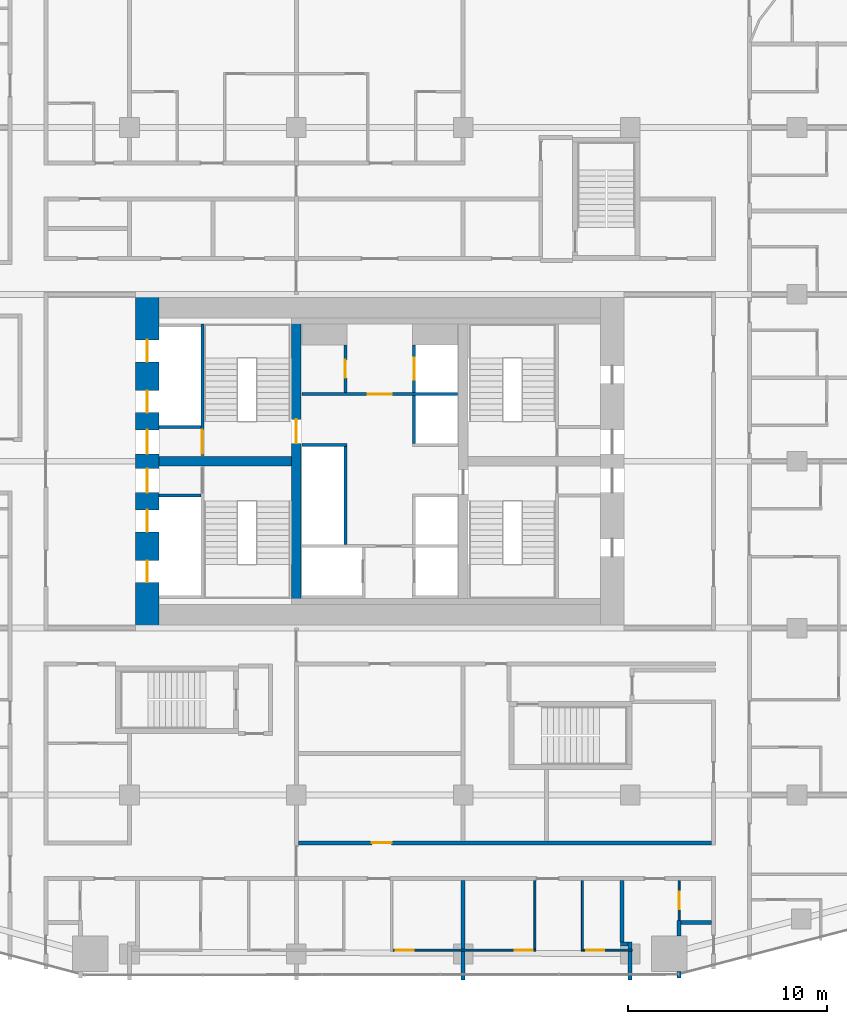
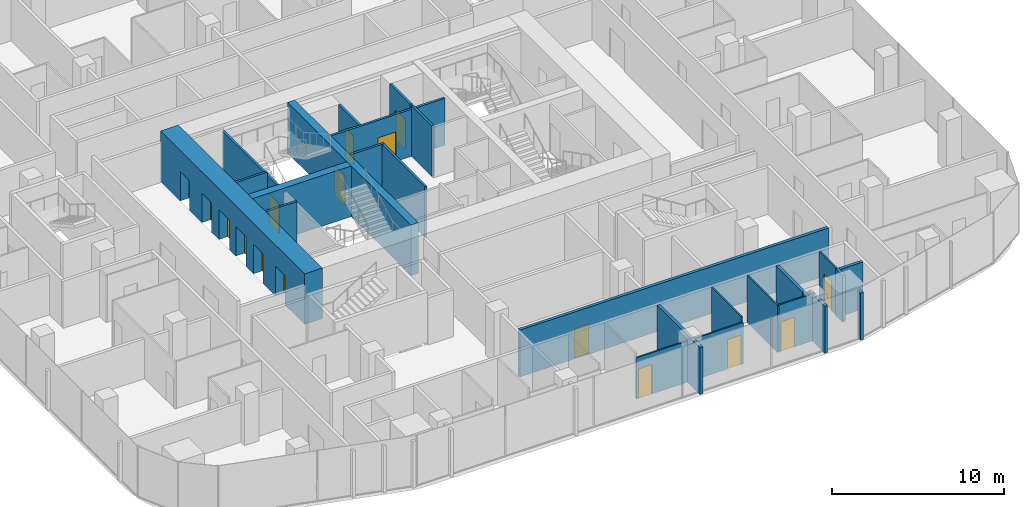
# One storey, part 18 of 25: 25 walls, 16 doors, 16 openings.
"""IFC4 building model written with IfcOpenShell, lengths in metres."""

from ifc_helpers import new_model, si_unit, direction, frame, frame_2d, origin, place, context, subcontext, project, spatial, rectangle, extrude, material, layer, layer_set, type_object, element, fill, save


model = new_model("IFC4")

# Units and contexts
model_context = context("Model", 3, precision=1e-05, world=origin(), true_north=direction((0.0, 1.0)))
body_context = subcontext(model_context, "Body", "Model", "MODEL_VIEW")
ifc_project = project(units=[si_unit("LENGTHUNIT", "METRE"), si_unit("AREAUNIT", "SQUARE_METRE"), si_unit("VOLUMEUNIT", "CUBIC_METRE"), si_unit("PLANEANGLEUNIT", "RADIAN"), si_unit("MASSUNIT", "GRAM", prefix="KILO")], contexts=[model_context])

# Site, building, storey
site_placement = place(None, origin())
site = spatial("IfcSite", under=ifc_project, at=site_placement, CompositionType="ELEMENT")
building_placement = place(site_placement, origin())
building = spatial("IfcBuilding", under=site, at=building_placement, Name="Marenta Gate Hotel Tower", CompositionType="ELEMENT")
storey_placement = place(building_placement, frame((0.0, 0.0, 50.89990234375)))
storey = spatial("IfcBuildingStorey", under=building, at=storey_placement, Name="L10", CompositionType="ELEMENT", Elevation=50.89990234375)

# Wall, opening, door
ifc_material_1 = material(Name="Concrete blockwork", Category="masonry")
ifc_layer_1 = layer(ifc_material_1, 0.14990234375)
ifc_layer_set_1 = layer_set([ifc_layer_1], Name="Concrete blockwork")
wall_type_1 = type_object("IfcWallType", Name="Core lobby partition 150 REI 180", PredefinedType="PARTITIONING", material=ifc_layer_set_1)
wall_1_placement = place(storey_placement, frame((-3.89990234375, 11.77490234375, 0.0), z_axis=(0.0, 0.0, 1.0), x_axis=(1.0, 0.0, 0.0)))
wall_1 = element("IfcWall", 1, at=wall_1_placement, inside=storey, type_object=wall_type_1, Name="L10-CP-CW-N", PredefinedType="PARTITIONING", context=body_context, shape_type="SweptSolid", body=[
    extrude(rectangle(XDim=7.7998046875, YDim=0.14990234375, at=frame_2d((3.89990234375, 0.0))), origin(), (0.0, 0.0, 1.0), 3.340087890625),
])
opening_1_placement = place(wall_1_placement, frame((3.300048828125, 0.0, 0.0)))
opening_1 = element("IfcOpeningElement", 2, at=opening_1_placement, cuts=wall_1, Name="Opening FD-FFN", PredefinedType="OPENING", context=body_context, shape_type="SweptSolid", body=[
    extrude(rectangle(XDim=1.199951171875, YDim=2.10009765625, at=frame_2d((0.60009765625, 1.050048828125))), frame((0.0, 0.074951171875, 0.0), z_axis=(0.0, -1.0, 0.0), x_axis=(1.0, 0.0, 0.0)), (0.0, 0.0, 1.0), 0.14990234375),
])
ifc_material_2 = material(Name="Steel", Category="steel")
door_type_1 = type_object("IfcDoorType", Name="Core lobby door 1200x2100 FD60", OperationType="SINGLE_SWING_LEFT", PredefinedType="DOOR", material=ifc_material_2)
door_1_placement = place(opening_1_placement, origin())
door_1 = element("IfcDoor", 3, at=door_1_placement, inside=storey, type_object=door_type_1, Name="FD-FFN", OperationType="SINGLE_SWING_LEFT", OverallHeight=2.10009765625, OverallWidth=1.199951171875, PredefinedType="DOOR", context=body_context, shape_type="SweptSolid", body=[
    extrude(rectangle(XDim=1.199951171875, YDim=2.10009765625, at=frame_2d((0.60009765625, 1.050048828125))), frame((0.0, 0.02490234375, 0.0), z_axis=(0.0, -1.0, 0.0), x_axis=(1.0, 0.0, 0.0)), (0.0, 0.0, 1.0), 0.050048828125),
])
fill(opening_1, door_1)

ifc_material_3 = material(Name="Concrete blockwork", Category="masonry")
ifc_layer_2 = layer(ifc_material_3, 0.14990234375)
ifc_layer_set_2 = layer_set([ifc_layer_2], Name="Concrete blockwork")
wall_type_2 = type_object("IfcWallType", Name="Core room partition 150 REI 180", PredefinedType="PARTITIONING", material=ifc_layer_set_2)
wall_2_placement = place(storey_placement, frame((-1.72509765625, 11.85009765625, 0.0), z_axis=(0.0, 0.0, 1.0), x_axis=(0.0, 1.0, 0.0)))
wall_2 = element("IfcWall", 4, at=wall_2_placement, inside=storey, type_object=wall_type_2, Name="L10-CP-CW-W-riser-front", PredefinedType="PARTITIONING", context=body_context, shape_type="SweptSolid", body=[
    extrude(rectangle(XDim=2.39990234375, YDim=0.14990234375, at=frame_2d((1.199951171875, 0.0))), origin(), (0.0, 0.0, 1.0), 3.340087890625),
])
opening_2_placement = place(wall_2_placement, frame((0.75, 0.0, 0.0)))
opening_2 = element("IfcOpeningElement", 5, at=opening_2_placement, cuts=wall_2, Name="Opening RD-CRISER", PredefinedType="OPENING", context=body_context, shape_type="SweptSolid", body=[
    extrude(rectangle(XDim=0.89990234375, YDim=2.10009765625, at=frame_2d((0.449951171875, 1.050048828125))), frame((0.0, 0.074951171875, 0.0), z_axis=(0.0, -1.0, 0.0), x_axis=(1.0, 0.0, 0.0)), (0.0, 0.0, 1.0), 0.14990234375),
])
ifc_material_4 = material(Name="Steel", Category="steel")
door_type_2 = type_object("IfcDoorType", Name="Core riser door 900x2100 FD60", OperationType="SINGLE_SWING_LEFT", PredefinedType="DOOR", material=ifc_material_4)
door_2_placement = place(opening_2_placement, origin())
door_2 = element("IfcDoor", 6, at=door_2_placement, inside=storey, type_object=door_type_2, Name="RD-CRISER", OperationType="SINGLE_SWING_LEFT", OverallHeight=2.10009765625, OverallWidth=0.89990234375, PredefinedType="DOOR", context=body_context, shape_type="SweptSolid", body=[
    extrude(rectangle(XDim=0.89990234375, YDim=2.10009765625, at=frame_2d((0.449951171875, 1.050048828125))), frame((0.0, 0.02490234375, 0.0), z_axis=(0.0, -1.0, 0.0), x_axis=(1.0, 0.0, 0.0)), (0.0, 0.0, 1.0), 0.050048828125),
])
fill(opening_2, door_2)

# Walls
ifc_material_5 = material(Name="Concrete C40", Category="concrete")
ifc_layer_3 = layer(ifc_material_5, 0.14990234375)
ifc_layer_set_3 = layer_set([ifc_layer_3], Name="Concrete C40")
wall_type_3 = type_object("IfcWallType", Name="Core shaft wall 150 REI 180", PredefinedType="SHEAR", material=ifc_layer_set_3)
for number, where, z_axis, x_axis, name in (
    (7, (-11.10009765625, 6.675048828125, 0.0), (0.0, 0.0, 1.0), (1.0, 0.0, 0.0), "L10-SHF-SW-WS-2"),
    (8, (-11.10009765625, 10.125, 0.0), (0.0, 0.0, 1.0), (1.0, 0.0, 0.0), "L10-SHF-SW-WN-2"),
):
    element("IfcWall", number, at=place(storey_placement, frame(where, z_axis=z_axis, x_axis=x_axis)), inside=storey, type_object=wall_type_3, Name=name, PredefinedType="SHEAR", context=body_context, shape_type="SweptSolid", body=[
        extrude(rectangle(XDim=2.10009765625, YDim=0.14990234375, at=frame_2d((1.050048828125, 0.0))), origin(), (0.0, 0.0, 1.0), 3.60009765625),
    ])
wall_3_placement = place(storey_placement, frame((-1.72509765625, 4.199951171875, 0.0), z_axis=(0.0, 0.0, 1.0), x_axis=(0.0, 1.0, 0.0)))
element("IfcWall", 9, at=wall_3_placement, inside=storey, type_object=wall_type_3, Name="L10-SHF-CW-W-front", PredefinedType="SHEAR", context=body_context, shape_type="SweptSolid", body=[
    extrude(rectangle(XDim=4.949951171875, YDim=0.14990234375, at=frame_2d((2.47509765625, 0.0))), origin(), (0.0, 0.0, 1.0), 3.60009765625),
])
wall_4_placement = place(storey_placement, frame((-3.89990234375, 9.22509765625, 0.0), z_axis=(0.0, 0.0, 1.0), x_axis=(1.0, 0.0, 0.0)))
element("IfcWall", 10, at=wall_4_placement, inside=storey, type_object=wall_type_3, Name="L10-SHF-CW-W-sep", PredefinedType="SHEAR", context=body_context, shape_type="SweptSolid", body=[
    extrude(rectangle(XDim=2.25, YDim=0.14990234375, at=frame_2d((1.125, 0.0))), origin(), (0.0, 0.0, 1.0), 3.60009765625),
])

# Wall, opening, door
wall_5_placement = place(storey_placement, frame((1.72509765625, 11.85009765625, 0.0), z_axis=(0.0, 0.0, 1.0), x_axis=(0.0, 1.0, 0.0)))
wall_5 = element("IfcWall", 11, at=wall_5_placement, inside=storey, type_object=wall_type_3, Name="L10-SHF-CE-N-front2", PredefinedType="SHEAR", context=body_context, shape_type="SweptSolid", body=[
    extrude(rectangle(XDim=2.39990234375, YDim=0.14990234375, at=frame_2d((1.199951171875, 0.0))), origin(), (0.0, 0.0, 1.0), 3.60009765625),
])
opening_3_placement = place(wall_5_placement, frame((0.64990234375, 0.0, 0.0)))
opening_3 = element("IfcOpeningElement", 12, at=opening_3_placement, cuts=wall_5, Name="Opening LD-FF2", PredefinedType="OPENING", context=body_context, shape_type="SweptSolid", body=[
    extrude(rectangle(XDim=1.10009765625, YDim=2.10009765625, at=frame_2d((0.550048828125, 1.050048828125))), frame((0.0, 0.074951171875, 0.0), z_axis=(0.0, -1.0, 0.0), x_axis=(1.0, 0.0, 0.0)), (0.0, 0.0, 1.0), 0.14990234375),
])
ifc_material_6 = material(Name="Steel", Category="steel")
door_type_3 = type_object("IfcDoorType", Name="Core lift landing door 1100x2100 E 60", OperationType="SLIDING_TO_LEFT", PredefinedType="DOOR", material=ifc_material_6)
door_3_placement = place(opening_3_placement, origin())
door_3 = element("IfcDoor", 13, at=door_3_placement, inside=storey, type_object=door_type_3, Name="LD-FF2", OperationType="SLIDING_TO_LEFT", OverallHeight=2.10009765625, OverallWidth=1.10009765625, PredefinedType="DOOR", context=body_context, shape_type="SweptSolid", body=[
    extrude(rectangle(XDim=1.10009765625, YDim=2.10009765625, at=frame_2d((0.550048828125, 1.050048828125))), frame((0.0, 0.02490234375, 0.0), z_axis=(0.0, -1.0, 0.0), x_axis=(1.0, 0.0, 0.0)), (0.0, 0.0, 1.0), 0.050048828125),
])
fill(opening_3, door_3)

# Wall
wall_6_placement = place(storey_placement, frame((1.72509765625, 9.300048828125, 0.0), z_axis=(0.0, 0.0, 1.0), x_axis=(0.0, 1.0, 0.0)))
element("IfcWall", 14, at=wall_6_placement, inside=storey, type_object=wall_type_3, Name="L10-SHF-CE-front-2", PredefinedType="SHEAR", context=body_context, shape_type="SweptSolid", body=[
    extrude(rectangle(XDim=2.39990234375, YDim=0.14990234375, at=frame_2d((1.199951171875, 0.0))), origin(), (0.0, 0.0, 1.0), 3.60009765625),
])

# Wall, opening, door
ifc_material_7 = material(Name="Concrete C40", Category="concrete")
ifc_layer_4 = layer(ifc_material_7, 0.14990234375)
ifc_layer_set_4 = layer_set([ifc_layer_4], Name="Concrete C40")
wall_type_4 = type_object("IfcWallType", Name="Core stair enclosure wall 150 REI 180", PredefinedType="SHEAR", material=ifc_layer_set_4)
wall_7_placement = place(storey_placement, frame((-8.925048828125, 8.699951171875, 0.0), z_axis=(0.0, 0.0, 1.0), x_axis=(0.0, 1.0, 0.0)))
wall_7 = element("IfcWall", 15, at=wall_7_placement, inside=storey, type_object=wall_type_4, Name="L10-SHF-SW-WN-3", PredefinedType="SHEAR", context=body_context, shape_type="SweptSolid", body=[
    extrude(rectangle(XDim=6.60009765625, YDim=0.14990234375, at=frame_2d((3.300048828125, 0.0))), origin(), (0.0, 0.0, 1.0), 3.340087890625),
])
opening_4_placement = place(wall_7_placement, frame((0.074951171875, 0.0, 0.0)))
opening_4 = element("IfcOpeningElement", 16, at=opening_4_placement, cuts=wall_7, Name="Opening SD-WN", PredefinedType="OPENING", context=body_context, shape_type="SweptSolid", body=[
    extrude(rectangle(XDim=1.199951171875, YDim=2.10009765625, at=frame_2d((0.60009765625, 1.050048828125))), frame((0.0, 0.074951171875, 0.0), z_axis=(0.0, -1.0, 0.0), x_axis=(1.0, 0.0, 0.0)), (0.0, 0.0, 1.0), 0.14990234375),
])
ifc_material_8 = material(Name="Steel", Category="steel")
door_type_4 = type_object("IfcDoorType", Name="Core stair door 1200x2100 FD60", OperationType="SINGLE_SWING_LEFT", PredefinedType="DOOR", material=ifc_material_8)
door_4_placement = place(opening_4_placement, origin())
door_4 = element("IfcDoor", 17, at=door_4_placement, inside=storey, type_object=door_type_4, Name="SD-WN", OperationType="SINGLE_SWING_LEFT", OverallHeight=2.10009765625, OverallWidth=1.199951171875, PredefinedType="DOOR", context=body_context, shape_type="SweptSolid", body=[
    extrude(rectangle(XDim=1.199951171875, YDim=2.10009765625, at=frame_2d((0.60009765625, 1.050048828125))), frame((0.0, 0.02490234375, 0.0), z_axis=(0.0, -1.0, 0.0), x_axis=(1.0, 0.0, 0.0)), (0.0, 0.0, 1.0), 0.050048828125),
])
fill(opening_4, door_4)

# Wall, openings, doors
ifc_material_9 = material(Name="Concrete C80", Category="concrete")
ifc_layer_5 = layer(ifc_material_9, 1.199951171875)
ifc_layer_set_5 = layer_set([ifc_layer_5], Name="Concrete C80")
wall_type_5 = type_object("IfcWallType", Name="Core wall 1200 C80", PredefinedType="SHEAR", material=ifc_layer_set_5)
wall_8_placement = place(storey_placement, frame((-11.699951171875, 0.0, 0.0), z_axis=(0.0, 0.0, 1.0), x_axis=(0.0, 1.0, 0.0)))
wall_8 = element("IfcWall", 18, at=wall_8_placement, inside=storey, type_object=wall_type_5, Name="L10-CORE-W", PredefinedType="SHEAR", context=body_context, shape_type="SweptSolid", body=[
    extrude(rectangle(XDim=16.800048828125, YDim=1.199951171875, at=frame_2d((8.39990234375, 0.0))), origin(), (0.0, 0.0, 1.0), 3.60009765625),
])
opening_5_placement = place(wall_8_placement, frame((2.300048828125, 0.0, 0.0)))
opening_5 = element("IfcOpeningElement", 19, at=opening_5_placement, cuts=wall_8, Name="Opening LD-LR1", PredefinedType="OPENING", context=body_context, shape_type="SweptSolid", body=[
    extrude(rectangle(XDim=1.10009765625, YDim=2.10009765625, at=frame_2d((0.550048828125, 1.050048828125))), frame((0.0, 0.60009765625, 0.0), z_axis=(0.0, -1.0, 0.0), x_axis=(1.0, 0.0, 0.0)), (0.0, 0.0, 1.0), 1.199951171875),
])
opening_6_placement = place(wall_8_placement, frame((4.85009765625, 0.0, 0.0)))
opening_6 = element("IfcOpeningElement", 20, at=opening_6_placement, cuts=wall_8, Name="Opening LD-LR2", PredefinedType="OPENING", context=body_context, shape_type="SweptSolid", body=[
    extrude(rectangle(XDim=1.10009765625, YDim=2.10009765625, at=frame_2d((0.550048828125, 1.050048828125))), frame((0.0, 0.60009765625, 0.0), z_axis=(0.0, -1.0, 0.0), x_axis=(1.0, 0.0, 0.0)), (0.0, 0.0, 1.0), 1.199951171875),
])
opening_7_placement = place(wall_8_placement, frame((6.824951171875, 0.0, 0.0)))
opening_7 = element("IfcOpeningElement", 21, at=opening_7_placement, cuts=wall_8, Name="Opening PD-WS", PredefinedType="OPENING", context=body_context, shape_type="SweptSolid", body=[
    extrude(rectangle(XDim=1.199951171875, YDim=2.10009765625, at=frame_2d((0.60009765625, 1.050048828125))), frame((0.0, 0.60009765625, 0.0), z_axis=(0.0, -1.0, 0.0), x_axis=(1.0, 0.0, 0.0)), (0.0, 0.0, 1.0), 1.199951171875),
])
opening_8_placement = place(wall_8_placement, frame((13.39990234375, 0.0, 0.0)))
opening_8 = element("IfcOpeningElement", 22, at=opening_8_placement, cuts=wall_8, Name="Opening LD-LR4", PredefinedType="OPENING", context=body_context, shape_type="SweptSolid", body=[
    extrude(rectangle(XDim=1.10009765625, YDim=2.10009765625, at=frame_2d((0.550048828125, 1.050048828125))), frame((0.0, 0.60009765625, 0.0), z_axis=(0.0, -1.0, 0.0), x_axis=(1.0, 0.0, 0.0)), (0.0, 0.0, 1.0), 1.199951171875),
])
opening_9_placement = place(wall_8_placement, frame((10.85009765625, 0.0, 0.0)))
opening_9 = element("IfcOpeningElement", 23, at=opening_9_placement, cuts=wall_8, Name="Opening LD-LR3", PredefinedType="OPENING", context=body_context, shape_type="SweptSolid", body=[
    extrude(rectangle(XDim=1.10009765625, YDim=2.10009765625, at=frame_2d((0.550048828125, 1.050048828125))), frame((0.0, 0.60009765625, 0.0), z_axis=(0.0, -1.0, 0.0), x_axis=(1.0, 0.0, 0.0)), (0.0, 0.0, 1.0), 1.199951171875),
])
opening_10_placement = place(wall_8_placement, frame((8.77490234375, 0.0, 0.0)))
opening_10 = element("IfcOpeningElement", 24, at=opening_10_placement, cuts=wall_8, Name="Opening PD-WN", PredefinedType="OPENING", context=body_context, shape_type="SweptSolid", body=[
    extrude(rectangle(XDim=1.199951171875, YDim=2.10009765625, at=frame_2d((0.60009765625, 1.050048828125))), frame((0.0, 0.60009765625, 0.0), z_axis=(0.0, -1.0, 0.0), x_axis=(1.0, 0.0, 0.0)), (0.0, 0.0, 1.0), 1.199951171875),
])
door_5_placement = place(opening_5_placement, origin())
door_5 = element("IfcDoor", 25, at=door_5_placement, inside=storey, type_object=door_type_3, Name="LD-LR1", OperationType="SLIDING_TO_LEFT", OverallHeight=2.10009765625, OverallWidth=1.10009765625, PredefinedType="DOOR", context=body_context, shape_type="SweptSolid", body=[
    extrude(rectangle(XDim=1.10009765625, YDim=2.10009765625, at=frame_2d((0.550048828125, 1.050048828125))), frame((0.0, 0.02490234375, 0.0), z_axis=(0.0, -1.0, 0.0), x_axis=(1.0, 0.0, 0.0)), (0.0, 0.0, 1.0), 0.050048828125),
])
fill(opening_5, door_5)
door_6_placement = place(opening_6_placement, origin())
door_6 = element("IfcDoor", 26, at=door_6_placement, inside=storey, type_object=door_type_3, Name="LD-LR2", OperationType="SLIDING_TO_LEFT", OverallHeight=2.10009765625, OverallWidth=1.10009765625, PredefinedType="DOOR", context=body_context, shape_type="SweptSolid", body=[
    extrude(rectangle(XDim=1.10009765625, YDim=2.10009765625, at=frame_2d((0.550048828125, 1.050048828125))), frame((0.0, 0.02490234375, 0.0), z_axis=(0.0, -1.0, 0.0), x_axis=(1.0, 0.0, 0.0)), (0.0, 0.0, 1.0), 0.050048828125),
])
fill(opening_6, door_6)
door_7_placement = place(opening_8_placement, origin())
door_7 = element("IfcDoor", 27, at=door_7_placement, inside=storey, type_object=door_type_3, Name="LD-LR4", OperationType="SLIDING_TO_LEFT", OverallHeight=2.10009765625, OverallWidth=1.10009765625, PredefinedType="DOOR", context=body_context, shape_type="SweptSolid", body=[
    extrude(rectangle(XDim=1.10009765625, YDim=2.10009765625, at=frame_2d((0.550048828125, 1.050048828125))), frame((0.0, 0.02490234375, 0.0), z_axis=(0.0, -1.0, 0.0), x_axis=(1.0, 0.0, 0.0)), (0.0, 0.0, 1.0), 0.050048828125),
])
fill(opening_8, door_7)
door_8_placement = place(opening_9_placement, origin())
door_8 = element("IfcDoor", 28, at=door_8_placement, inside=storey, type_object=door_type_3, Name="LD-LR3", OperationType="SLIDING_TO_LEFT", OverallHeight=2.10009765625, OverallWidth=1.10009765625, PredefinedType="DOOR", context=body_context, shape_type="SweptSolid", body=[
    extrude(rectangle(XDim=1.10009765625, YDim=2.10009765625, at=frame_2d((0.550048828125, 1.050048828125))), frame((0.0, 0.02490234375, 0.0), z_axis=(0.0, -1.0, 0.0), x_axis=(1.0, 0.0, 0.0)), (0.0, 0.0, 1.0), 0.050048828125),
])
fill(opening_9, door_8)
door_9_placement = place(opening_7_placement, origin())
door_9 = element("IfcDoor", 29, at=door_9_placement, inside=storey, type_object=door_type_1, Name="PD-WS", OperationType="SINGLE_SWING_LEFT", OverallHeight=2.10009765625, OverallWidth=1.199951171875, PredefinedType="DOOR", context=body_context, shape_type="SweptSolid", body=[
    extrude(rectangle(XDim=1.199951171875, YDim=2.10009765625, at=frame_2d((0.60009765625, 1.050048828125))), frame((0.0, 0.02490234375, 0.0), z_axis=(0.0, -1.0, 0.0), x_axis=(1.0, 0.0, 0.0)), (0.0, 0.0, 1.0), 0.050048828125),
])
fill(opening_7, door_9)
door_10_placement = place(opening_10_placement, origin())
door_10 = element("IfcDoor", 30, at=door_10_placement, inside=storey, type_object=door_type_1, Name="PD-WN", OperationType="SINGLE_SWING_LEFT", OverallHeight=2.10009765625, OverallWidth=1.199951171875, PredefinedType="DOOR", context=body_context, shape_type="SweptSolid", body=[
    extrude(rectangle(XDim=1.199951171875, YDim=2.10009765625, at=frame_2d((0.60009765625, 1.050048828125))), frame((0.0, 0.02490234375, 0.0), z_axis=(0.0, -1.0, 0.0), x_axis=(1.0, 0.0, 0.0)), (0.0, 0.0, 1.0), 0.050048828125),
])
fill(opening_10, door_10)

# Wall, opening, door
ifc_material_10 = material(Name="Concrete C80", Category="concrete")
ifc_layer_6 = layer(ifc_material_10, 0.5)
ifc_layer_set_6 = layer_set([ifc_layer_6], Name="Concrete C80")
wall_type_6 = type_object("IfcWallType", Name="Core web 500 C80", PredefinedType="SHEAR", material=ifc_layer_set_6)
wall_9_placement = place(storey_placement, frame((-4.199951171875, 1.199951171875, 0.0), z_axis=(0.0, 0.0, 1.0), x_axis=(0.0, 1.0, 0.0)))
wall_9 = element("IfcWall", 31, at=wall_9_placement, inside=storey, type_object=wall_type_6, Name="L10-CORE-W1", PredefinedType="SHEAR", context=body_context, shape_type="SweptSolid", body=[
    extrude(rectangle(XDim=14.400146484375, YDim=0.5, at=frame_2d((7.2001953125, 0.0))), origin(), (0.0, 0.0, 1.0), 3.60009765625),
])
opening_11_placement = place(wall_9_placement, frame((8.10009765625, 0.0, 0.0)))
opening_11 = element("IfcOpeningElement", 32, at=opening_11_placement, cuts=wall_9, Name="Opening WD-W", PredefinedType="OPENING", context=body_context, shape_type="SweptSolid", body=[
    extrude(rectangle(XDim=1.199951171875, YDim=2.10009765625, at=frame_2d((0.60009765625, 1.050048828125))), frame((0.0, 0.25, 0.0), z_axis=(0.0, -1.0, 0.0), x_axis=(1.0, 0.0, 0.0)), (0.0, 0.0, 1.0), 0.5),
])
door_11_placement = place(opening_11_placement, origin())
door_11 = element("IfcDoor", 33, at=door_11_placement, inside=storey, type_object=door_type_4, Name="WD-W", OperationType="SINGLE_SWING_LEFT", OverallHeight=2.10009765625, OverallWidth=1.199951171875, PredefinedType="DOOR", context=body_context, shape_type="SweptSolid", body=[
    extrude(rectangle(XDim=1.199951171875, YDim=2.10009765625, at=frame_2d((0.60009765625, 1.050048828125))), frame((0.0, 0.02490234375, 0.0), z_axis=(0.0, -1.0, 0.0), x_axis=(1.0, 0.0, 0.0)), (0.0, 0.0, 1.0), 0.050048828125),
])
fill(opening_11, door_11)

# Wall
wall_10_placement = place(storey_placement, frame((-11.10009765625, 8.39990234375, 0.0), z_axis=(0.0, 0.0, 1.0), x_axis=(1.0, 0.0, 0.0)))
element("IfcWall", 34, at=wall_10_placement, inside=storey, type_object=wall_type_6, Name="L10-CORE-W3", PredefinedType="SHEAR", context=body_context, shape_type="SweptSolid", body=[
    extrude(rectangle(XDim=6.650146484375, YDim=0.5, at=frame_2d((3.3251953125, 0.0))), origin(), (0.0, 0.0, 1.0), 3.60009765625),
])

# Wall, opening, door
ifc_material_11 = material(Name="Gypsum board on steel stud", Category="steel")
ifc_layer_7 = layer(ifc_material_11, 0.199951171875)
ifc_layer_set_7 = layer_set([ifc_layer_7], Name="Gypsum board on steel stud")
wall_type_7 = type_object("IfcWallType", Name="Room corridor wall 200 EI 60", PredefinedType="PARTITIONING", material=ifc_layer_set_7)
wall_11_placement = place(storey_placement, frame((-4.10009765625, -10.800048828125, 0.0), z_axis=(0.0, 0.0, 1.0), x_axis=(1.0, 0.0, 0.0)))
wall_11 = element("IfcWall", 35, at=wall_11_placement, inside=storey, type_object=wall_type_7, Name="L10-PTN-W032", PredefinedType="PARTITIONING", context=body_context, shape_type="SweptSolid", body=[
    extrude(rectangle(XDim=20.800048828125, YDim=0.199951171875, at=frame_2d((10.39990234375, 0.0))), origin(), (0.0, 0.0, 1.0), 3.340087890625),
])
opening_12_placement = place(wall_11_placement, frame((3.699951171875, 0.0, 0.0)))
opening_12 = element("IfcOpeningElement", 36, at=opening_12_placement, cuts=wall_11, Name="Opening G03-66", PredefinedType="OPENING", context=body_context, shape_type="SweptSolid", body=[
    extrude(rectangle(XDim=1.0, YDim=2.10009765625, at=frame_2d((0.5, 1.050048828125))), frame((0.0, 0.10009765625, 0.0), z_axis=(0.0, -1.0, 0.0), x_axis=(1.0, 0.0, 0.0)), (0.0, 0.0, 1.0), 0.199951171875),
])
ifc_material_12 = material(Name="Timber door leaf", Category="wood")
door_type_5 = type_object("IfcDoorType", Name="Room amenity door 1000x2100 EI 30", OperationType="NOTDEFINED", PredefinedType="DOOR", material=ifc_material_12)
door_12_placement = place(opening_12_placement, origin())
door_12 = element("IfcDoor", 37, at=door_12_placement, inside=storey, type_object=door_type_5, Name="L10-PD-D066", OperationType="SINGLE_SWING_RIGHT", OverallHeight=2.10009765625, OverallWidth=1.0, PredefinedType="DOOR", context=body_context, shape_type="SweptSolid", body=[
    extrude(rectangle(XDim=1.0, YDim=2.10009765625, at=frame_2d((0.5, 1.050048828125))), frame((0.0, 0.02490234375, 0.0), z_axis=(0.0, -1.0, 0.0), x_axis=(1.0, 0.0, 0.0)), (0.0, 0.0, 1.0), 0.050048828125),
])
fill(opening_12, door_12)

# Wall, openings, doors
ifc_material_13 = material(Name="Gypsum board on steel stud", Category="steel")
ifc_layer_8 = layer(ifc_material_13, 0.10009765625)
ifc_layer_set_8 = layer_set([ifc_layer_8], Name="Gypsum board on steel stud")
wall_type_8 = type_object("IfcWallType", Name="Room partition 100", PredefinedType="PARTITIONING", material=ifc_layer_set_8)
wall_12_placement = place(storey_placement, frame((0.64990234375, -16.199951171875, 0.0), z_axis=(0.0, 0.0, 1.0), x_axis=(1.0, 0.0, 0.0)))
wall_12 = element("IfcWall", 38, at=wall_12_placement, inside=storey, type_object=wall_type_8, Name="L10-PTN-W017", PredefinedType="PARTITIONING", context=body_context, shape_type="SweptSolid", body=[
    extrude(rectangle(XDim=7.2001953125, YDim=0.10009765625, at=frame_2d((3.60009765625, 0.0))), origin(), (0.0, 0.0, 1.0), 2.940185546875),
])
opening_13_placement = place(wall_12_placement, frame((0.14990234375, 0.0, 0.0)))
opening_13 = element("IfcOpeningElement", 39, at=opening_13_placement, cuts=wall_12, Name="Opening G03-40", PredefinedType="OPENING", context=body_context, shape_type="SweptSolid", body=[
    extrude(rectangle(XDim=0.89990234375, YDim=2.10009765625, at=frame_2d((0.449951171875, 1.050048828125))), frame((0.0, 0.050048828125, 0.0), z_axis=(0.0, -1.0, 0.0), x_axis=(1.0, 0.0, 0.0)), (0.0, 0.0, 1.0), 0.10009765625),
])
opening_14_placement = place(wall_12_placement, frame((6.14990234375, 0.0, 0.0)))
opening_14 = element("IfcOpeningElement", 40, at=opening_14_placement, cuts=wall_12, Name="Opening G03-43", PredefinedType="OPENING", context=body_context, shape_type="SweptSolid", body=[
    extrude(rectangle(XDim=0.89990234375, YDim=2.10009765625, at=frame_2d((0.449951171875, 1.050048828125))), frame((0.0, 0.050048828125, 0.0), z_axis=(0.0, -1.0, 0.0), x_axis=(1.0, 0.0, 0.0)), (0.0, 0.0, 1.0), 0.10009765625),
])
ifc_material_14 = material(Name="Timber door leaf", Category="wood")
door_type_6 = type_object("IfcDoorType", Name="Guest bathroom door 900x2100", OperationType="NOTDEFINED", PredefinedType="DOOR", material=ifc_material_14)
door_13_placement = place(opening_13_placement, origin())
door_13 = element("IfcDoor", 41, at=door_13_placement, inside=storey, type_object=door_type_6, Name="L10-PD-D040", OperationType="SINGLE_SWING_LEFT", OverallHeight=2.10009765625, OverallWidth=0.89990234375, PredefinedType="DOOR", context=body_context, shape_type="SweptSolid", body=[
    extrude(rectangle(XDim=0.89990234375, YDim=2.10009765625, at=frame_2d((0.449951171875, 1.050048828125))), frame((0.0, 0.02490234375, 0.0), z_axis=(0.0, -1.0, 0.0), x_axis=(1.0, 0.0, 0.0)), (0.0, 0.0, 1.0), 0.050048828125),
])
fill(opening_13, door_13)
door_14_placement = place(opening_14_placement, origin())
door_14 = element("IfcDoor", 42, at=door_14_placement, inside=storey, type_object=door_type_6, Name="L10-PD-D043", OperationType="SINGLE_SWING_RIGHT", OverallHeight=2.10009765625, OverallWidth=0.89990234375, PredefinedType="DOOR", context=body_context, shape_type="SweptSolid", body=[
    extrude(rectangle(XDim=0.89990234375, YDim=2.10009765625, at=frame_2d((0.449951171875, 1.050048828125))), frame((0.0, 0.02490234375, 0.0), z_axis=(0.0, -1.0, 0.0), x_axis=(1.0, 0.0, 0.0)), (0.0, 0.0, 1.0), 0.050048828125),
])
fill(opening_14, door_14)

# Wall, opening, door
wall_13_placement = place(storey_placement, frame((10.25, -16.199951171875, 0.0), z_axis=(0.0, 0.0, 1.0), x_axis=(1.0, 0.0, 0.0)))
wall_13 = element("IfcWall", 43, at=wall_13_placement, inside=storey, type_object=wall_type_8, Name="L10-PTN-W018", PredefinedType="PARTITIONING", context=body_context, shape_type="SweptSolid", body=[
    extrude(rectangle(XDim=2.449951171875, YDim=0.10009765625, at=frame_2d((1.22509765625, 0.0))), origin(), (0.0, 0.0, 1.0), 3.340087890625),
])
opening_15_placement = place(wall_13_placement, frame((0.14990234375, 0.0, 0.0)))
opening_15 = element("IfcOpeningElement", 44, at=opening_15_placement, cuts=wall_13, Name="Opening G03-44", PredefinedType="OPENING", context=body_context, shape_type="SweptSolid", body=[
    extrude(rectangle(XDim=0.89990234375, YDim=2.10009765625, at=frame_2d((0.449951171875, 1.050048828125))), frame((0.0, 0.050048828125, 0.0), z_axis=(0.0, -1.0, 0.0), x_axis=(1.0, 0.0, 0.0)), (0.0, 0.0, 1.0), 0.10009765625),
])
ifc_material_15 = material(Name="Timber door leaf", Category="wood")
door_type_7 = type_object("IfcDoorType", Name="Room inner door 900x2100", OperationType="NOTDEFINED", PredefinedType="DOOR", material=ifc_material_15)
door_15_placement = place(opening_15_placement, origin())
door_15 = element("IfcDoor", 45, at=door_15_placement, inside=storey, type_object=door_type_7, Name="L10-PD-D044", OperationType="SINGLE_SWING_LEFT", OverallHeight=2.10009765625, OverallWidth=0.89990234375, PredefinedType="DOOR", context=body_context, shape_type="SweptSolid", body=[
    extrude(rectangle(XDim=0.89990234375, YDim=2.10009765625, at=frame_2d((0.449951171875, 1.050048828125))), frame((0.0, 0.02490234375, 0.0), z_axis=(0.0, -1.0, 0.0), x_axis=(1.0, 0.0, 0.0)), (0.0, 0.0, 1.0), 0.050048828125),
])
fill(opening_15, door_15)

wall_14_placement = place(storey_placement, frame((15.06591796875, -14.89990234375, 0.0), z_axis=(0.0, 0.0, 1.0), x_axis=(0.0, 1.0, 0.0)))
wall_14 = element("IfcWall", 46, at=wall_14_placement, inside=storey, type_object=wall_type_8, Name="L10-PTN-W022", PredefinedType="PARTITIONING", context=body_context, shape_type="SweptSolid", body=[
    extrude(rectangle(XDim=2.199951171875, YDim=0.10009765625, at=frame_2d((1.10009765625, 0.0))), origin(), (0.0, 0.0, 1.0), 3.340087890625),
])
opening_16_placement = place(wall_14_placement, frame((0.75, 0.0, 0.0)))
opening_16 = element("IfcOpeningElement", 47, at=opening_16_placement, cuts=wall_14, Name="Opening G03-74", PredefinedType="OPENING", context=body_context, shape_type="SweptSolid", body=[
    extrude(rectangle(XDim=0.89990234375, YDim=2.10009765625, at=frame_2d((0.449951171875, 1.050048828125))), frame((0.0, 0.050048828125, 0.0), z_axis=(0.0, -1.0, 0.0), x_axis=(1.0, 0.0, 0.0)), (0.0, 0.0, 1.0), 0.10009765625),
])
door_16_placement = place(opening_16_placement, origin())
door_16 = element("IfcDoor", 48, at=door_16_placement, inside=storey, type_object=door_type_6, Name="L10-PD-D074", OperationType="SINGLE_SWING_RIGHT", OverallHeight=2.10009765625, OverallWidth=0.89990234375, PredefinedType="DOOR", context=body_context, shape_type="SweptSolid", body=[
    extrude(rectangle(XDim=0.89990234375, YDim=2.10009765625, at=frame_2d((0.449951171875, 1.050048828125))), frame((0.0, 0.02490234375, 0.0), z_axis=(0.0, -1.0, 0.0), x_axis=(1.0, 0.0, 0.0)), (0.0, 0.0, 1.0), 0.050048828125),
])
fill(opening_16, door_16)

# Walls
wall_15_placement = place(storey_placement, frame((10.199951171875, -16.25, 0.0), z_axis=(0.0, 0.0, 1.0), x_axis=(0.0, 1.0, 0.0)))
element("IfcWall", 49, at=wall_15_placement, inside=storey, type_object=wall_type_8, Name="L10-PTN-W033", PredefinedType="PARTITIONING", context=body_context, shape_type="SweptSolid", body=[
    extrude(rectangle(XDim=3.550048828125, YDim=0.10009765625, at=frame_2d((1.77490234375, 0.0))), origin(), (0.0, 0.0, 1.0), 3.340087890625),
])
wall_16_placement = place(storey_placement, frame((7.800048828125, -16.14990234375, 0.0), z_axis=(0.0, 0.0, 1.0), x_axis=(0.0, 1.0, 0.0)))
element("IfcWall", 50, at=wall_16_placement, inside=storey, type_object=wall_type_8, Name="L10-PTN-W039", PredefinedType="PARTITIONING", context=body_context, shape_type="SweptSolid", body=[
    extrude(rectangle(XDim=3.449951171875, YDim=0.10009765625, at=frame_2d((1.72509765625, 0.0))), origin(), (0.0, 0.0, 1.0), 3.340087890625),
])
ifc_material_16 = material(Name="Concrete blockwork", Category="masonry")
ifc_layer_9 = layer(ifc_material_16, 0.199951171875)
ifc_layer_set_9 = layer_set([ifc_layer_9], Name="Concrete blockwork")
wall_type_9 = type_object("IfcWallType", Name="Room party wall 200 EI 120", PredefinedType="PARTITIONING", material=ifc_layer_set_9)
wall_17_placement = place(storey_placement, frame((15.06591796875, -17.593017578125, 0.0), z_axis=(0.0, 0.0, 1.0), x_axis=(0.0, 1.0, 0.0)))
element("IfcWall", 51, at=wall_17_placement, inside=storey, type_object=wall_type_9, Name="L10-PTN-W021", PredefinedType="PARTITIONING", context=body_context, shape_type="SweptSolid", body=[
    extrude(rectangle(XDim=0.318115234375, YDim=0.199951171875, at=frame_2d((0.1591796875, 0.0))), origin(), (0.0, 0.0, 1.0), 3.340087890625),
])
wall_18_placement = place(storey_placement, frame((15.06591796875, -15.47509765625, 0.0), z_axis=(0.0, 0.0, 1.0), x_axis=(0.0, 1.0, 0.0)))
element("IfcWall", 52, at=wall_18_placement, inside=storey, type_object=wall_type_9, Name="L10-PTN-W137", PredefinedType="PARTITIONING", context=body_context, shape_type="SweptSolid", body=[
    extrude(rectangle(XDim=0.775146484375, YDim=0.199951171875, at=frame_2d((0.3876953125, 0.0))), origin(), (0.0, 0.0, 1.0), 3.340087890625),
])
wall_19_placement = place(storey_placement, frame((15.115966796875, -14.800048828125, 0.0), z_axis=(0.0, 0.0, 1.0), x_axis=(1.0, 0.0, 0.0)))
element("IfcWall", 53, at=wall_19_placement, inside=storey, type_object=wall_type_9, Name="L10-PTN-W024", PredefinedType="PARTITIONING", context=body_context, shape_type="SweptSolid", body=[
    extrude(rectangle(XDim=1.583984375, YDim=0.199951171875, at=frame_2d((0.7919921875, 0.0))), origin(), (0.0, 0.0, 1.0), 3.340087890625),
])
ifc_material_17 = material(Name="Gypsum board on steel stud", Category="steel")
ifc_layer_10 = layer(ifc_material_17, 0.199951171875)
ifc_layer_set_10 = layer_set([ifc_layer_10], Name="Gypsum board on steel stud")
wall_type_10 = type_object("IfcWallType", Name="Room party wall 200 EI 60", PredefinedType="PARTITIONING", material=ifc_layer_set_10)
wall_20_placement = place(storey_placement, frame((12.10009765625, -15.89990234375, 0.0), z_axis=(0.0, 0.0, 1.0), x_axis=(1.0, 0.0, 0.0)))
element("IfcWall", 54, at=wall_20_placement, inside=storey, type_object=wall_type_10, Name="L10-PTN-W020", PredefinedType="PARTITIONING", context=body_context, shape_type="SweptSolid", body=[
    extrude(rectangle(XDim=0.39990234375, YDim=0.199951171875, at=frame_2d((0.199951171875, 0.0))), origin(), (0.0, 0.0, 1.0), 3.340087890625),
])
wall_21_placement = place(storey_placement, frame((12.60009765625, -17.699951171875, 0.0), z_axis=(0.0, 0.0, 1.0), x_axis=(0.0, 1.0, 0.0)))
element("IfcWall", 55, at=wall_21_placement, inside=storey, type_object=wall_type_10, Name="L10-PTN-W027", PredefinedType="PARTITIONING", context=body_context, shape_type="SweptSolid", body=[
    extrude(rectangle(XDim=1.89990234375, YDim=0.199951171875, at=frame_2d((0.949951171875, 0.0))), origin(), (0.0, 0.0, 1.0), 3.340087890625),
])
wall_22_placement = place(storey_placement, frame((12.199951171875, -15.800048828125, 0.0), z_axis=(0.0, 0.0, 1.0), x_axis=(0.0, 1.0, 0.0)))
element("IfcWall", 56, at=wall_22_placement, inside=storey, type_object=wall_type_10, Name="L10-PTN-W030", PredefinedType="PARTITIONING", context=body_context, shape_type="SweptSolid", body=[
    extrude(rectangle(XDim=3.10009765625, YDim=0.199951171875, at=frame_2d((1.550048828125, 0.0))), origin(), (0.0, 0.0, 1.0), 3.340087890625),
])
wall_23_placement = place(storey_placement, frame((4.199951171875, -17.699951171875, 0.0), z_axis=(0.0, 0.0, 1.0), x_axis=(0.0, 1.0, 0.0)))
element("IfcWall", 57, at=wall_23_placement, inside=storey, type_object=wall_type_10, Name="L10-PTN-W047", PredefinedType="PARTITIONING", context=body_context, shape_type="SweptSolid", body=[
    extrude(rectangle(XDim=5.0, YDim=0.199951171875, at=frame_2d((2.5, 0.0))), origin(), (0.0, 0.0, 1.0), 3.340087890625),
])

save(model, "model.ifc")
